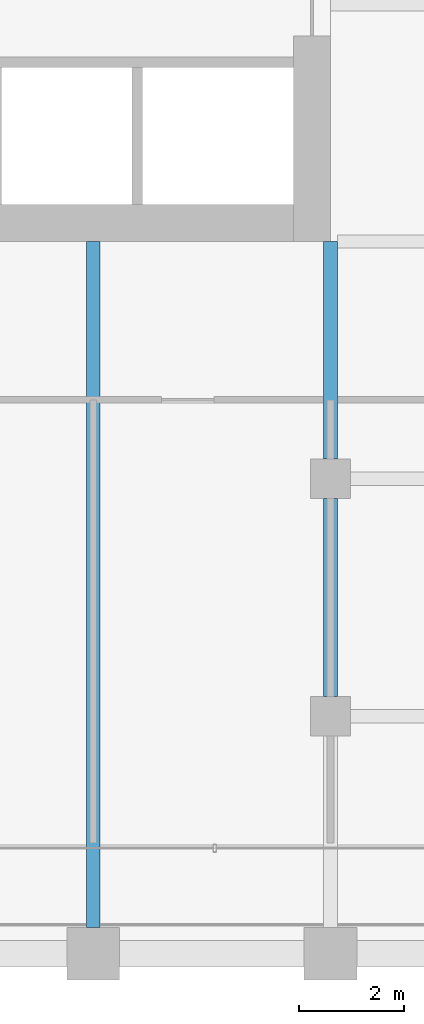
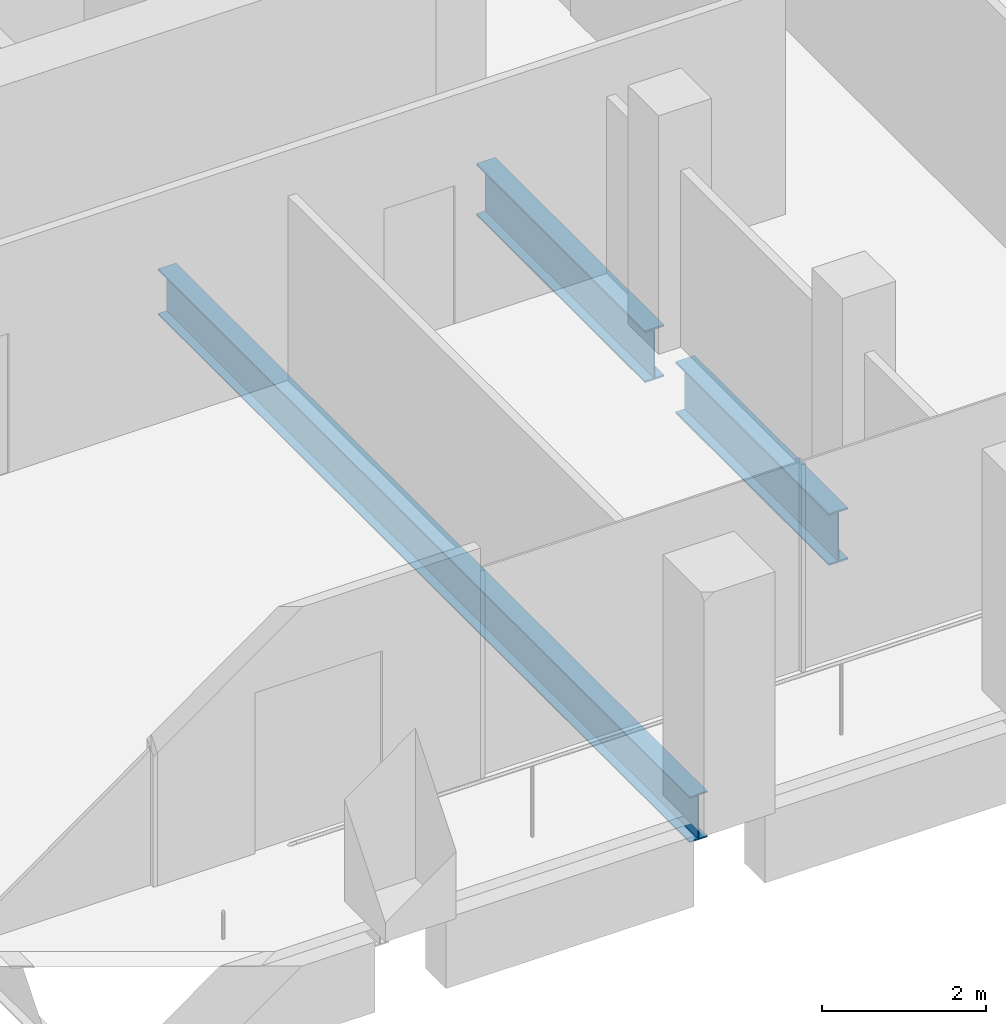
# One storey, part 10 of 46: 3 beams.
"""IFC4 building model written with IfcOpenShell, lengths in metres."""

from ifc_helpers import new_model, si_unit, direction, frame, origin, origin_2d, place, context, subcontext, project, spatial, i_section, extrude, material, material_profile, profile_set, type_object, element, save


model = new_model("IFC4")

# Units and contexts
model_context = context("Model", 3, precision=1e-05, world=origin(), true_north=direction((0.0, 1.0)))
body_context = subcontext(model_context, "Body", "Model", "MODEL_VIEW")
ifc_project = project(units=[si_unit("LENGTHUNIT", "METRE"), si_unit("AREAUNIT", "SQUARE_METRE"), si_unit("VOLUMEUNIT", "CUBIC_METRE"), si_unit("PLANEANGLEUNIT", "RADIAN"), si_unit("MASSUNIT", "GRAM", prefix="KILO")], contexts=[model_context])

# Site, building, storey
site_placement = place(None, origin())
site = spatial("IfcSite", under=ifc_project, at=site_placement, CompositionType="ELEMENT")
building_placement = place(site_placement, origin())
building = spatial("IfcBuilding", under=site, at=building_placement, Name="Altepetl Exchange Towers", CompositionType="ELEMENT")
storey_placement = place(building_placement, frame((0.0, 0.0, 106.39990234375)))
storey = spatial("IfcBuildingStorey", under=building, at=storey_placement, Name="L26", CompositionType="ELEMENT", Elevation=106.39990234375)

# Beams
ifc_material = material(Name="Steel S355", Category="steel")
ifc_material_profile_1 = material_profile(ifc_material, i_section(OverallWidth=0.25390625, OverallDepth=0.68408203125, WebThickness=0.012451171875, FlangeThickness=0.018798828125, at=origin_2d()), Name="W27X94")
ifc_profile_set_1 = profile_set([ifc_material_profile_1], Name="Steel S355")
beam_type_1 = type_object("IfcBeamType", Name="Floor beam W27X94", PredefinedType="BEAM", material=ifc_profile_set_1)
beam_1_placement = place(storey_placement, frame((54.0, 27.5, -0.491943359375), z_axis=(0.0, 1.0, 0.0), x_axis=(-1.0, 0.0, 0.0)))
element("IfcBeam", 1, at=beam_1_placement, inside=storey, type_object=beam_type_1, Name="bm:A:L26:017", PredefinedType="BEAM", context=body_context, shape_type="SweptSolid", body=[
    extrude(i_section(OverallWidth=0.25390625, OverallDepth=0.68408203125, WebThickness=0.012451171875, FlangeThickness=0.018798828125, at=origin_2d()), origin(), (0.0, 0.0, 1.0), 13.0),
])
ifc_material_profile_2 = material_profile(ifc_material, i_section(OverallWidth=0.26806640625, OverallDepth=0.77392578125, WebThickness=0.015380859375, FlangeThickness=0.025390625, at=origin_2d()), Name="W30X132")
ifc_profile_set_2 = profile_set([ifc_material_profile_2], Name="Steel S355")
beam_type_2 = type_object("IfcBeamType", Name="Girder W30X132", PredefinedType="BEAM", material=ifc_profile_set_2)
beam_2_placement = place(storey_placement, frame((58.5, 40.5, -0.536865234375), z_axis=(0.0, -1.0, 0.0), x_axis=(1.0, 0.0, 0.0)))
element("IfcBeam", 2, at=beam_2_placement, inside=storey, type_object=beam_type_2, Name="gd:A:L26:003", PredefinedType="BEAM", context=body_context, shape_type="SweptSolid", body=[
    extrude(i_section(OverallWidth=0.26806640625, OverallDepth=0.77392578125, WebThickness=0.015380859375, FlangeThickness=0.025390625, at=origin_2d()), origin(), (0.0, 0.0, 1.0), 4.125),
])
beam_3_placement = place(storey_placement, frame((58.5, 35.625, -0.536865234375), z_axis=(0.0, -1.0, 0.0), x_axis=(1.0, 0.0, 0.0)))
element("IfcBeam", 3, at=beam_3_placement, inside=storey, type_object=beam_type_2, Name="gd:A:L26:004", PredefinedType="BEAM", context=body_context, shape_type="SweptSolid", body=[
    extrude(i_section(OverallWidth=0.26806640625, OverallDepth=0.77392578125, WebThickness=0.015380859375, FlangeThickness=0.025390625, at=origin_2d()), origin(), (0.0, 0.0, 1.0), 3.75),
])

save(model, "model.ifc")
